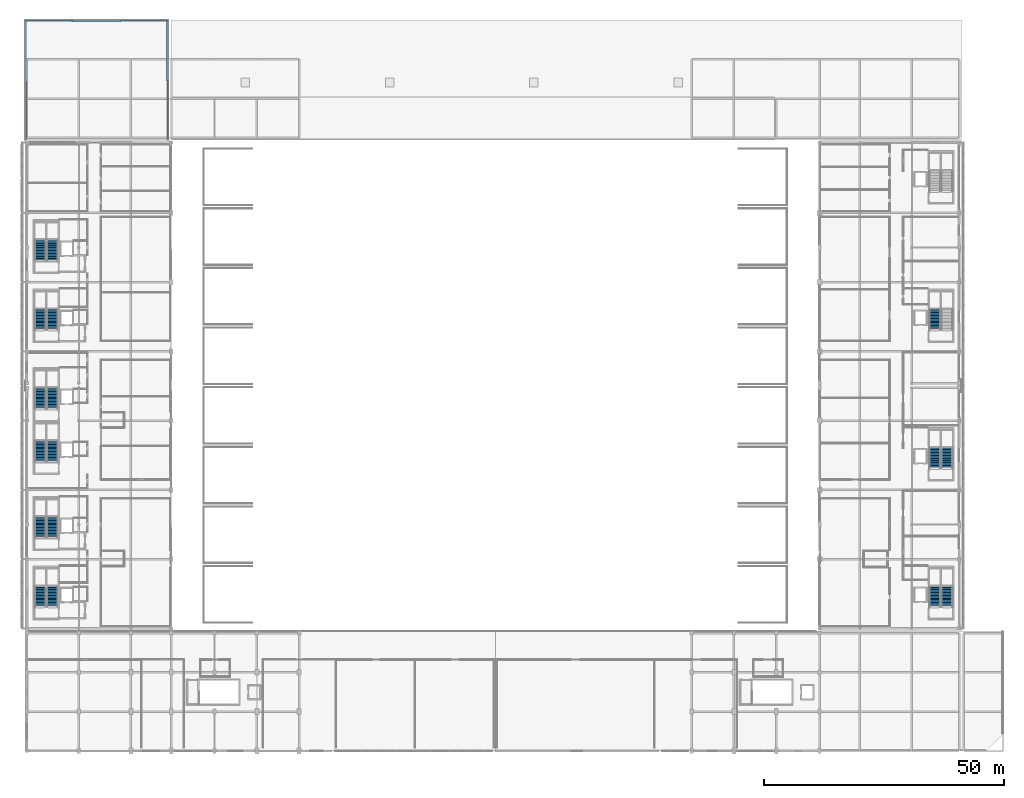
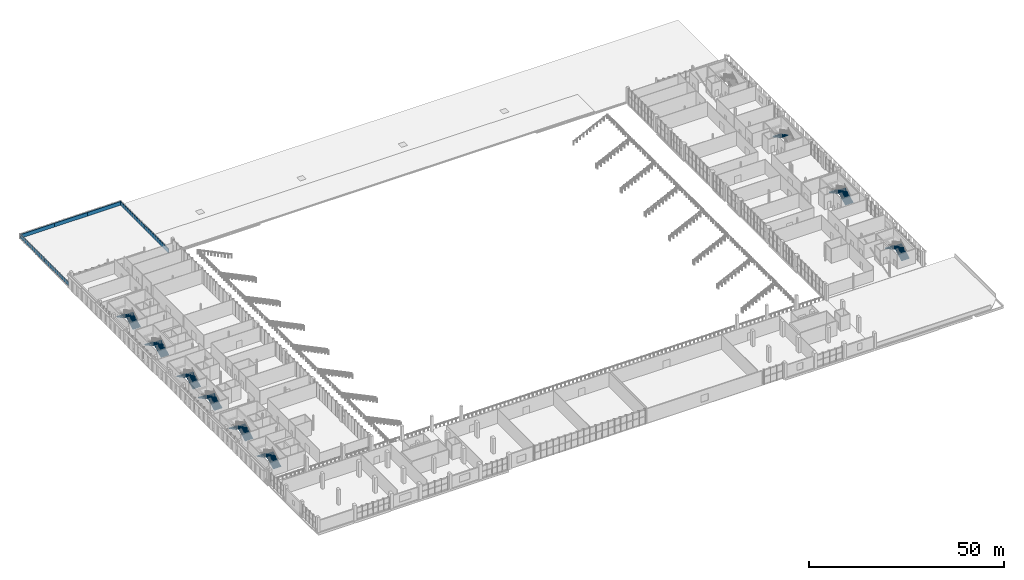
# One storey, part 73 of 104: 17 stair flights, 7 walls, 9 elements without a shape of their own.
"""IFC4 building model written with IfcOpenShell, lengths in metres."""

from ifc_helpers import new_model, si_unit, direction, frame, frame_2d, origin, place, context, subcontext, project, spatial, polyline, rectangle, outline, extrude, material, layer, layer_set, type_object, element, aggregate, save


model = new_model("IFC4")

# Units and contexts
model_context = context("Model", 3, precision=1e-05, world=origin(), true_north=direction((0.0, 1.0)))
body_context = subcontext(model_context, "Body", "Model", "MODEL_VIEW")
ifc_project = project(units=[si_unit("LENGTHUNIT", "METRE"), si_unit("AREAUNIT", "SQUARE_METRE"), si_unit("VOLUMEUNIT", "CUBIC_METRE"), si_unit("PLANEANGLEUNIT", "RADIAN"), si_unit("MASSUNIT", "GRAM", prefix="KILO")], contexts=[model_context])

# Site, building, storey
site_placement = place(None, origin())
site = spatial("IfcSite", under=ifc_project, at=site_placement, CompositionType="ELEMENT")
building_placement = place(site_placement, origin())
building = spatial("IfcBuilding", under=site, at=building_placement, Name="Koshinbarg Plaza Stadium", CompositionType="ELEMENT")
storey_placement = place(building_placement, frame((0.0, 0.0, 19.800048828125)))
storey = spatial("IfcBuildingStorey", under=building, at=storey_placement, Name="L04", CompositionType="ELEMENT", Elevation=19.800048828125)

# Walls
ifc_material_1 = material(Name="Precast concrete C40/50", Category="concrete")
ifc_layer_1 = layer(ifc_material_1, 0.199951171875)
ifc_layer_set_1 = layer_set([ifc_layer_1], Name="Precast concrete C40/50")
wall_type_1 = type_object("IfcWallType", Name="WL-PAR-200", PredefinedType="PARAPET", material=ifc_layer_set_1)
wall_1_placement = place(storey_placement, frame((53.85009765625, 139.5224609375, 0.0), z_axis=(0.0, 0.0, 1.0), x_axis=(0.0, 1.0, 0.0)))
element("IfcWall", 1, at=wall_1_placement, inside=storey, type_object=wall_type_1, Name="L04 roof garden parapet 020", PredefinedType="PARAPET", context=body_context, shape_type="SweptSolid", body=[
    extrude(rectangle(XDim=12.32763671875, YDim=0.199951171875, at=frame_2d((6.163818359375, 0.0))), origin(), (0.0, 0.0, 1.0), 1.14990234375),
])
wall_2_placement = place(storey_placement, frame((43.998291015625, 151.85009765625, 0.0), z_axis=(0.0, 0.0, 1.0), x_axis=(-1.0, 0.0, 0.0)))
element("IfcWall", 2, at=wall_2_placement, inside=storey, type_object=wall_type_1, Name="L04 roof garden parapet 022", PredefinedType="PARAPET", context=body_context, shape_type="SweptSolid", body=[
    extrude(rectangle(XDim=9.8515625, YDim=0.199951171875, at=frame_2d((4.92578125, 0.0))), origin(), (0.0, 0.0, 1.0), 1.14990234375),
])
wall_3_placement = place(storey_placement, frame((24.294921875, 151.85009765625, 0.0), z_axis=(0.0, 0.0, 1.0), x_axis=(0.0, -1.0, 0.0)))
element("IfcWall", 3, at=wall_3_placement, inside=storey, type_object=wall_type_1, Name="L04 roof garden parapet 024", PredefinedType="PARAPET", context=body_context, shape_type="SweptSolid", body=[
    extrude(rectangle(XDim=12.32763671875, YDim=0.199951171875, at=frame_2d((6.163818359375, 0.0))), origin(), (0.0, 0.0, 1.0), 1.14990234375),
])
ifc_layer_2 = layer(ifc_material_1, 0.219970703125)
ifc_layer_set_2 = layer_set([ifc_layer_2], Name="Precast concrete C40/50")
wall_type_2 = type_object("IfcWallType", Name="WL-PAR-220", PredefinedType="PARAPET", material=ifc_layer_set_2)
wall_4_placement = place(storey_placement, frame((53.85009765625, 127.195068359375, 0.0), z_axis=(0.0, 0.0, 1.0), x_axis=(0.0, 1.0, 0.0)))
element("IfcWall", 4, at=wall_4_placement, inside=storey, type_object=wall_type_2, Name="L04 roof garden parapet 019", PredefinedType="PARAPET", context=body_context, shape_type="SweptSolid", body=[
    extrude(rectangle(XDim=12.327392578125, YDim=0.219970703125, at=frame_2d((6.16357421875, 0.0))), origin(), (0.0, 0.0, 1.0), 1.14990234375),
])
for number, where, z_axis, x_axis, name in (
    (5, (53.85009765625, 151.85009765625, 0.0), (0.0, 0.0, 1.0), (-1.0, 0.0, 0.0), "L04 roof garden parapet 021"),
    (6, (34.146728515625, 151.85009765625, 0.0), (0.0, 0.0, 1.0), (-1.0, 0.0, 0.0), "L04 roof garden parapet 023"),
):
    element("IfcWall", number, at=place(storey_placement, frame(where, z_axis=z_axis, x_axis=x_axis)), inside=storey, type_object=wall_type_2, Name=name, PredefinedType="PARAPET", context=body_context, shape_type="SweptSolid", body=[
        extrude(rectangle(XDim=9.851806640625, YDim=0.219970703125, at=frame_2d((4.92578125, 0.0))), origin(), (0.0, 0.0, 1.0), 1.14990234375),
    ])
wall_5_placement = place(storey_placement, frame((24.294921875, 139.5224609375, 0.0), z_axis=(0.0, 0.0, 1.0), x_axis=(0.0, -1.0, 0.0)))
element("IfcWall", 7, at=wall_5_placement, inside=storey, type_object=wall_type_2, Name="L04 roof garden parapet 025", PredefinedType="PARAPET", context=body_context, shape_type="SweptSolid", body=[
    extrude(rectangle(XDim=12.327392578125, YDim=0.219970703125, at=frame_2d((6.16357421875, 0.0))), origin(), (0.0, 0.0, 1.0), 1.14990234375),
])

# Stair, stair flights
ifc_material_2 = material(Name="Concrete C35/45", Category="concrete")
stair_type = type_object("IfcStairType", Name="ST-CORE-48", PredefinedType="HALF_TURN_STAIR", material=ifc_material_2)
stair_1_placement = place(storey_placement, origin())
stair_1 = element("IfcStair", 8, at=stair_1_placement, inside=storey, type_object=stair_type, Name="L04 Protected Exit Stair C01", PredefinedType="HALF_TURN_STAIR")
stair_flight_type = type_object("IfcStairFlightType", Name="SFL-CORE-48", PredefinedType="STRAIGHT", material=ifc_material_2)
stair_flight_1_placement = place(storey_placement, frame((29.889892578125, 29.9599609375, 0.0), z_axis=(0.0, 0.0, 1.0), x_axis=(0.0, 1.0, 0.0)))
stair_flight_1 = element("IfcStairFlight", 9, at=stair_flight_1_placement, type_object=stair_flight_type, Name="L04 Protected Exit Stair C01 flight 009", NumberOfRisers=15, NumberOfTreads=14, PredefinedType="STRAIGHT", RiserHeight=0.16, TreadLength=0.3, context=body_context, shape_type="SweptSolid", body=[
    extrude(outline(polyline([(0.0, 0.0), (0.0, 0.159912109375), (0.300048828125, 0.159912109375), (0.300048828125, 0.320068359375), (0.60009765625, 0.320068359375), (0.60009765625, 0.47998046875), (0.89990234375, 0.47998046875), (0.89990234375, 0.639892578125), (1.199951171875, 0.639892578125), (1.199951171875, 0.800048828125), (1.5, 0.800048828125), (1.5, 0.9599609375), (1.800048828125, 0.9599609375), (1.800048828125, 1.1201171875), (2.10009765625, 1.1201171875), (2.10009765625, 1.280029296875), (2.39990234375, 1.280029296875), (2.39990234375, 1.43994140625), (2.699951171875, 1.43994140625), (2.699951171875, 1.60009765625), (3.0, 1.60009765625), (3.0, 1.760009765625), (3.300048828125, 1.760009765625), (3.300048828125, 1.919921875), (3.60009765625, 1.919921875), (3.60009765625, 2.080078125), (3.89990234375, 2.080078125), (3.89990234375, 2.239990234375), (4.199951171875, 2.239990234375), (4.199951171875, 2.39990234375), (4.199951171875, 2.070068359375), (0.318603515625, 0.0), (0.0, 0.0)])), frame((0.0, 1.18017578125, 0.0), z_axis=(0.0, -1.0, 0.0), x_axis=(1.0, 0.0, 0.0)), (0.0, 0.0, 1.0), 2.360107421875),
])
stair_flight_2_placement = place(storey_placement, frame((27.3798828125, 34.159912109375, 2.39990234375), z_axis=(0.0, 0.0, 1.0), x_axis=(0.0, -1.0, 0.0)))
stair_flight_2 = element("IfcStairFlight", 10, at=stair_flight_2_placement, type_object=stair_flight_type, Name="L04 Protected Exit Stair C01 flight 010", NumberOfRisers=15, NumberOfTreads=14, PredefinedType="STRAIGHT", RiserHeight=0.16, TreadLength=0.3, context=body_context, shape_type="SweptSolid", body=[
    extrude(outline(polyline([(0.0, 0.0), (0.0, 0.159912109375), (0.300048828125, 0.159912109375), (0.300048828125, 0.320068359375), (0.60009765625, 0.320068359375), (0.60009765625, 0.47998046875), (0.89990234375, 0.47998046875), (0.89990234375, 0.639892578125), (1.199951171875, 0.639892578125), (1.199951171875, 0.800048828125), (1.5, 0.800048828125), (1.5, 0.9599609375), (1.800048828125, 0.9599609375), (1.800048828125, 1.1201171875), (2.10009765625, 1.1201171875), (2.10009765625, 1.280029296875), (2.39990234375, 1.280029296875), (2.39990234375, 1.43994140625), (2.699951171875, 1.43994140625), (2.699951171875, 1.60009765625), (3.0, 1.60009765625), (3.0, 1.760009765625), (3.300048828125, 1.760009765625), (3.300048828125, 1.919921875), (3.60009765625, 1.919921875), (3.60009765625, 2.080078125), (3.89990234375, 2.080078125), (3.89990234375, 2.239990234375), (4.199951171875, 2.239990234375), (4.199951171875, 2.39990234375), (4.199951171875, 2.070068359375), (0.318603515625, 0.0), (0.0, 0.0)])), frame((0.0, 1.18017578125, 0.0), z_axis=(0.0, -1.0, 0.0), x_axis=(1.0, 0.0, 0.0)), (0.0, 0.0, 1.0), 2.360107421875),
])
aggregate(stair_1, [stair_flight_1, stair_flight_2])

stair_2_placement = place(storey_placement, origin())
stair_2 = element("IfcStair", 11, at=stair_2_placement, inside=storey, type_object=stair_type, Name="L04 Protected Exit Stair C02", PredefinedType="HALF_TURN_STAIR")
stair_flight_3_placement = place(storey_placement, frame((29.889892578125, 44.360107421875, 0.0), z_axis=(0.0, 0.0, 1.0), x_axis=(0.0, 1.0, 0.0)))
stair_flight_3 = element("IfcStairFlight", 12, at=stair_flight_3_placement, type_object=stair_flight_type, Name="L04 Protected Exit Stair C02 flight 021", NumberOfRisers=15, NumberOfTreads=14, PredefinedType="STRAIGHT", RiserHeight=0.16, TreadLength=0.3, context=body_context, shape_type="SweptSolid", body=[
    extrude(outline(polyline([(0.0, 0.0), (0.0, 0.159912109375), (0.300048828125, 0.159912109375), (0.300048828125, 0.320068359375), (0.60009765625, 0.320068359375), (0.60009765625, 0.47998046875), (0.89990234375, 0.47998046875), (0.89990234375, 0.639892578125), (1.199951171875, 0.639892578125), (1.199951171875, 0.800048828125), (1.5, 0.800048828125), (1.5, 0.9599609375), (1.800048828125, 0.9599609375), (1.800048828125, 1.1201171875), (2.10009765625, 1.1201171875), (2.10009765625, 1.280029296875), (2.39990234375, 1.280029296875), (2.39990234375, 1.43994140625), (2.699951171875, 1.43994140625), (2.699951171875, 1.60009765625), (3.0, 1.60009765625), (3.0, 1.760009765625), (3.300048828125, 1.760009765625), (3.300048828125, 1.919921875), (3.60009765625, 1.919921875), (3.60009765625, 2.080078125), (3.89990234375, 2.080078125), (3.89990234375, 2.239990234375), (4.199951171875, 2.239990234375), (4.199951171875, 2.39990234375), (4.199951171875, 2.070068359375), (0.318603515625, 0.0), (0.0, 0.0)])), frame((0.0, 1.18017578125, 0.0), z_axis=(0.0, -1.0, 0.0), x_axis=(1.0, 0.0, 0.0)), (0.0, 0.0, 1.0), 2.360107421875),
])
stair_flight_4_placement = place(storey_placement, frame((27.3798828125, 48.56005859375, 2.39990234375), z_axis=(0.0, 0.0, 1.0), x_axis=(0.0, -1.0, 0.0)))
stair_flight_4 = element("IfcStairFlight", 13, at=stair_flight_4_placement, type_object=stair_flight_type, Name="L04 Protected Exit Stair C02 flight 022", NumberOfRisers=15, NumberOfTreads=14, PredefinedType="STRAIGHT", RiserHeight=0.16, TreadLength=0.3, context=body_context, shape_type="SweptSolid", body=[
    extrude(outline(polyline([(0.0, 0.0), (0.0, 0.159912109375), (0.300048828125, 0.159912109375), (0.300048828125, 0.320068359375), (0.60009765625, 0.320068359375), (0.60009765625, 0.47998046875), (0.89990234375, 0.47998046875), (0.89990234375, 0.639892578125), (1.199951171875, 0.639892578125), (1.199951171875, 0.800048828125), (1.5, 0.800048828125), (1.5, 0.9599609375), (1.800048828125, 0.9599609375), (1.800048828125, 1.1201171875), (2.10009765625, 1.1201171875), (2.10009765625, 1.280029296875), (2.39990234375, 1.280029296875), (2.39990234375, 1.43994140625), (2.699951171875, 1.43994140625), (2.699951171875, 1.60009765625), (3.0, 1.60009765625), (3.0, 1.760009765625), (3.300048828125, 1.760009765625), (3.300048828125, 1.919921875), (3.60009765625, 1.919921875), (3.60009765625, 2.080078125), (3.89990234375, 2.080078125), (3.89990234375, 2.239990234375), (4.199951171875, 2.239990234375), (4.199951171875, 2.39990234375), (4.199951171875, 2.070068359375), (0.318603515625, 0.0), (0.0, 0.0)])), frame((0.0, 1.18017578125, 0.0), z_axis=(0.0, -1.0, 0.0), x_axis=(1.0, 0.0, 0.0)), (0.0, 0.0, 1.0), 2.360107421875),
])
aggregate(stair_2, [stair_flight_3, stair_flight_4])

stair_3_placement = place(storey_placement, origin())
stair_3 = element("IfcStair", 14, at=stair_3_placement, inside=storey, type_object=stair_type, Name="L04 Protected Exit Stair C03", PredefinedType="HALF_TURN_STAIR")
stair_flight_5_placement = place(storey_placement, frame((29.889892578125, 60.159912109375, 0.0), z_axis=(0.0, 0.0, 1.0), x_axis=(0.0, 1.0, 0.0)))
stair_flight_5 = element("IfcStairFlight", 15, at=stair_flight_5_placement, type_object=stair_flight_type, Name="L04 Protected Exit Stair C03 flight 033", NumberOfRisers=15, NumberOfTreads=14, PredefinedType="STRAIGHT", RiserHeight=0.16, TreadLength=0.3, context=body_context, shape_type="SweptSolid", body=[
    extrude(outline(polyline([(0.0, 0.0), (0.0, 0.159912109375), (0.300048828125, 0.159912109375), (0.300048828125, 0.320068359375), (0.60009765625, 0.320068359375), (0.60009765625, 0.47998046875), (0.89990234375, 0.47998046875), (0.89990234375, 0.639892578125), (1.199951171875, 0.639892578125), (1.199951171875, 0.800048828125), (1.5, 0.800048828125), (1.5, 0.9599609375), (1.800048828125, 0.9599609375), (1.800048828125, 1.1201171875), (2.10009765625, 1.1201171875), (2.10009765625, 1.280029296875), (2.39990234375, 1.280029296875), (2.39990234375, 1.43994140625), (2.699951171875, 1.43994140625), (2.699951171875, 1.60009765625), (3.0, 1.60009765625), (3.0, 1.760009765625), (3.300048828125, 1.760009765625), (3.300048828125, 1.919921875), (3.60009765625, 1.919921875), (3.60009765625, 2.080078125), (3.89990234375, 2.080078125), (3.89990234375, 2.239990234375), (4.199951171875, 2.239990234375), (4.199951171875, 2.39990234375), (4.199951171875, 2.070068359375), (0.318603515625, 0.0), (0.0, 0.0)])), frame((0.0, 1.18017578125, 0.0), z_axis=(0.0, -1.0, 0.0), x_axis=(1.0, 0.0, 0.0)), (0.0, 0.0, 1.0), 2.360107421875),
])
stair_flight_6_placement = place(storey_placement, frame((27.3798828125, 64.360107421875, 2.39990234375), z_axis=(0.0, 0.0, 1.0), x_axis=(0.0, -1.0, 0.0)))
stair_flight_6 = element("IfcStairFlight", 16, at=stair_flight_6_placement, type_object=stair_flight_type, Name="L04 Protected Exit Stair C03 flight 034", NumberOfRisers=15, NumberOfTreads=14, PredefinedType="STRAIGHT", RiserHeight=0.16, TreadLength=0.3, context=body_context, shape_type="SweptSolid", body=[
    extrude(outline(polyline([(0.0, 0.0), (0.0, 0.159912109375), (0.300048828125, 0.159912109375), (0.300048828125, 0.320068359375), (0.60009765625, 0.320068359375), (0.60009765625, 0.47998046875), (0.89990234375, 0.47998046875), (0.89990234375, 0.639892578125), (1.199951171875, 0.639892578125), (1.199951171875, 0.800048828125), (1.5, 0.800048828125), (1.5, 0.9599609375), (1.800048828125, 0.9599609375), (1.800048828125, 1.1201171875), (2.10009765625, 1.1201171875), (2.10009765625, 1.280029296875), (2.39990234375, 1.280029296875), (2.39990234375, 1.43994140625), (2.699951171875, 1.43994140625), (2.699951171875, 1.60009765625), (3.0, 1.60009765625), (3.0, 1.760009765625), (3.300048828125, 1.760009765625), (3.300048828125, 1.919921875), (3.60009765625, 1.919921875), (3.60009765625, 2.080078125), (3.89990234375, 2.080078125), (3.89990234375, 2.239990234375), (4.199951171875, 2.239990234375), (4.199951171875, 2.39990234375), (4.199951171875, 2.070068359375), (0.318603515625, 0.0), (0.0, 0.0)])), frame((0.0, 1.18017578125, 0.0), z_axis=(0.0, -1.0, 0.0), x_axis=(1.0, 0.0, 0.0)), (0.0, 0.0, 1.0), 2.360107421875),
])
aggregate(stair_3, [stair_flight_5, stair_flight_6])

stair_4_placement = place(storey_placement, origin())
stair_4 = element("IfcStair", 17, at=stair_4_placement, inside=storey, type_object=stair_type, Name="L04 Protected Exit Stair C04", PredefinedType="HALF_TURN_STAIR")
stair_flight_7_placement = place(storey_placement, frame((29.889892578125, 71.159912109375, 0.0), z_axis=(0.0, 0.0, 1.0), x_axis=(0.0, 1.0, 0.0)))
stair_flight_7 = element("IfcStairFlight", 18, at=stair_flight_7_placement, type_object=stair_flight_type, Name="L04 Protected Exit Stair C04 flight 045", NumberOfRisers=15, NumberOfTreads=14, PredefinedType="STRAIGHT", RiserHeight=0.16, TreadLength=0.3, context=body_context, shape_type="SweptSolid", body=[
    extrude(outline(polyline([(0.0, 0.0), (0.0, 0.159912109375), (0.300048828125, 0.159912109375), (0.300048828125, 0.320068359375), (0.60009765625, 0.320068359375), (0.60009765625, 0.47998046875), (0.89990234375, 0.47998046875), (0.89990234375, 0.639892578125), (1.199951171875, 0.639892578125), (1.199951171875, 0.800048828125), (1.5, 0.800048828125), (1.5, 0.9599609375), (1.800048828125, 0.9599609375), (1.800048828125, 1.1201171875), (2.10009765625, 1.1201171875), (2.10009765625, 1.280029296875), (2.39990234375, 1.280029296875), (2.39990234375, 1.43994140625), (2.699951171875, 1.43994140625), (2.699951171875, 1.60009765625), (3.0, 1.60009765625), (3.0, 1.760009765625), (3.300048828125, 1.760009765625), (3.300048828125, 1.919921875), (3.60009765625, 1.919921875), (3.60009765625, 2.080078125), (3.89990234375, 2.080078125), (3.89990234375, 2.239990234375), (4.199951171875, 2.239990234375), (4.199951171875, 2.39990234375), (4.199951171875, 2.070068359375), (0.318603515625, 0.0), (0.0, 0.0)])), frame((0.0, 1.18017578125, 0.0), z_axis=(0.0, -1.0, 0.0), x_axis=(1.0, 0.0, 0.0)), (0.0, 0.0, 1.0), 2.360107421875),
])
stair_flight_8_placement = place(storey_placement, frame((27.3798828125, 75.360107421875, 2.39990234375), z_axis=(0.0, 0.0, 1.0), x_axis=(0.0, -1.0, 0.0)))
stair_flight_8 = element("IfcStairFlight", 19, at=stair_flight_8_placement, type_object=stair_flight_type, Name="L04 Protected Exit Stair C04 flight 046", NumberOfRisers=15, NumberOfTreads=14, PredefinedType="STRAIGHT", RiserHeight=0.16, TreadLength=0.3, context=body_context, shape_type="SweptSolid", body=[
    extrude(outline(polyline([(0.0, 0.0), (0.0, 0.159912109375), (0.300048828125, 0.159912109375), (0.300048828125, 0.320068359375), (0.60009765625, 0.320068359375), (0.60009765625, 0.47998046875), (0.89990234375, 0.47998046875), (0.89990234375, 0.639892578125), (1.199951171875, 0.639892578125), (1.199951171875, 0.800048828125), (1.5, 0.800048828125), (1.5, 0.9599609375), (1.800048828125, 0.9599609375), (1.800048828125, 1.1201171875), (2.10009765625, 1.1201171875), (2.10009765625, 1.280029296875), (2.39990234375, 1.280029296875), (2.39990234375, 1.43994140625), (2.699951171875, 1.43994140625), (2.699951171875, 1.60009765625), (3.0, 1.60009765625), (3.0, 1.760009765625), (3.300048828125, 1.760009765625), (3.300048828125, 1.919921875), (3.60009765625, 1.919921875), (3.60009765625, 2.080078125), (3.89990234375, 2.080078125), (3.89990234375, 2.239990234375), (4.199951171875, 2.239990234375), (4.199951171875, 2.39990234375), (4.199951171875, 2.070068359375), (0.318603515625, 0.0), (0.0, 0.0)])), frame((0.0, 1.18017578125, 0.0), z_axis=(0.0, -1.0, 0.0), x_axis=(1.0, 0.0, 0.0)), (0.0, 0.0, 1.0), 2.360107421875),
])
aggregate(stair_4, [stair_flight_7, stair_flight_8])

stair_5_placement = place(storey_placement, origin())
stair_5 = element("IfcStair", 20, at=stair_5_placement, inside=storey, type_object=stair_type, Name="L04 Protected Exit Stair C05", PredefinedType="HALF_TURN_STAIR")
stair_flight_9_placement = place(storey_placement, frame((29.889892578125, 87.56005859375, 0.0), z_axis=(0.0, 0.0, 1.0), x_axis=(0.0, 1.0, 0.0)))
stair_flight_9 = element("IfcStairFlight", 21, at=stair_flight_9_placement, type_object=stair_flight_type, Name="L04 Protected Exit Stair C05 flight 057", NumberOfRisers=15, NumberOfTreads=14, PredefinedType="STRAIGHT", RiserHeight=0.16, TreadLength=0.3, context=body_context, shape_type="SweptSolid", body=[
    extrude(outline(polyline([(0.0, 0.0), (0.0, 0.159912109375), (0.300048828125, 0.159912109375), (0.300048828125, 0.320068359375), (0.60009765625, 0.320068359375), (0.60009765625, 0.47998046875), (0.89990234375, 0.47998046875), (0.89990234375, 0.639892578125), (1.199951171875, 0.639892578125), (1.199951171875, 0.800048828125), (1.5, 0.800048828125), (1.5, 0.9599609375), (1.800048828125, 0.9599609375), (1.800048828125, 1.1201171875), (2.10009765625, 1.1201171875), (2.10009765625, 1.280029296875), (2.39990234375, 1.280029296875), (2.39990234375, 1.43994140625), (2.699951171875, 1.43994140625), (2.699951171875, 1.60009765625), (3.0, 1.60009765625), (3.0, 1.760009765625), (3.300048828125, 1.760009765625), (3.300048828125, 1.919921875), (3.60009765625, 1.919921875), (3.60009765625, 2.080078125), (3.89990234375, 2.080078125), (3.89990234375, 2.239990234375), (4.199951171875, 2.239990234375), (4.199951171875, 2.39990234375), (4.199951171875, 2.070068359375), (0.318603515625, 0.0), (0.0, 0.0)])), frame((0.0, 1.18017578125, 0.0), z_axis=(0.0, -1.0, 0.0), x_axis=(1.0, 0.0, 0.0)), (0.0, 0.0, 1.0), 2.360107421875),
])
stair_flight_10_placement = place(storey_placement, frame((27.3798828125, 91.760009765625, 2.39990234375), z_axis=(0.0, 0.0, 1.0), x_axis=(0.0, -1.0, 0.0)))
stair_flight_10 = element("IfcStairFlight", 22, at=stair_flight_10_placement, type_object=stair_flight_type, Name="L04 Protected Exit Stair C05 flight 058", NumberOfRisers=15, NumberOfTreads=14, PredefinedType="STRAIGHT", RiserHeight=0.16, TreadLength=0.3, context=body_context, shape_type="SweptSolid", body=[
    extrude(outline(polyline([(0.0, 0.0), (0.0, 0.159912109375), (0.300048828125, 0.159912109375), (0.300048828125, 0.320068359375), (0.60009765625, 0.320068359375), (0.60009765625, 0.47998046875), (0.89990234375, 0.47998046875), (0.89990234375, 0.639892578125), (1.199951171875, 0.639892578125), (1.199951171875, 0.800048828125), (1.5, 0.800048828125), (1.5, 0.9599609375), (1.800048828125, 0.9599609375), (1.800048828125, 1.1201171875), (2.10009765625, 1.1201171875), (2.10009765625, 1.280029296875), (2.39990234375, 1.280029296875), (2.39990234375, 1.43994140625), (2.699951171875, 1.43994140625), (2.699951171875, 1.60009765625), (3.0, 1.60009765625), (3.0, 1.760009765625), (3.300048828125, 1.760009765625), (3.300048828125, 1.919921875), (3.60009765625, 1.919921875), (3.60009765625, 2.080078125), (3.89990234375, 2.080078125), (3.89990234375, 2.239990234375), (4.199951171875, 2.239990234375), (4.199951171875, 2.39990234375), (4.199951171875, 2.070068359375), (0.318603515625, 0.0), (0.0, 0.0)])), frame((0.0, 1.18017578125, 0.0), z_axis=(0.0, -1.0, 0.0), x_axis=(1.0, 0.0, 0.0)), (0.0, 0.0, 1.0), 2.360107421875),
])
aggregate(stair_5, [stair_flight_9, stair_flight_10])

stair_6_placement = place(storey_placement, origin())
stair_6 = element("IfcStair", 23, at=stair_6_placement, inside=storey, type_object=stair_type, Name="L04 Protected Exit Stair C06", PredefinedType="HALF_TURN_STAIR")
stair_flight_11_placement = place(storey_placement, frame((29.889892578125, 101.9599609375, 0.0), z_axis=(0.0, 0.0, 1.0), x_axis=(0.0, 1.0, 0.0)))
stair_flight_11 = element("IfcStairFlight", 24, at=stair_flight_11_placement, type_object=stair_flight_type, Name="L04 Protected Exit Stair C06 flight 069", NumberOfRisers=15, NumberOfTreads=14, PredefinedType="STRAIGHT", RiserHeight=0.16, TreadLength=0.3, context=body_context, shape_type="SweptSolid", body=[
    extrude(outline(polyline([(0.0, 0.0), (0.0, 0.159912109375), (0.300048828125, 0.159912109375), (0.300048828125, 0.320068359375), (0.60009765625, 0.320068359375), (0.60009765625, 0.47998046875), (0.89990234375, 0.47998046875), (0.89990234375, 0.639892578125), (1.199951171875, 0.639892578125), (1.199951171875, 0.800048828125), (1.5, 0.800048828125), (1.5, 0.9599609375), (1.800048828125, 0.9599609375), (1.800048828125, 1.1201171875), (2.10009765625, 1.1201171875), (2.10009765625, 1.280029296875), (2.39990234375, 1.280029296875), (2.39990234375, 1.43994140625), (2.699951171875, 1.43994140625), (2.699951171875, 1.60009765625), (3.0, 1.60009765625), (3.0, 1.760009765625), (3.300048828125, 1.760009765625), (3.300048828125, 1.919921875), (3.60009765625, 1.919921875), (3.60009765625, 2.080078125), (3.89990234375, 2.080078125), (3.89990234375, 2.239990234375), (4.199951171875, 2.239990234375), (4.199951171875, 2.39990234375), (4.199951171875, 2.070068359375), (0.318603515625, 0.0), (0.0, 0.0)])), frame((0.0, 1.18017578125, 0.0), z_axis=(0.0, -1.0, 0.0), x_axis=(1.0, 0.0, 0.0)), (0.0, 0.0, 1.0), 2.360107421875),
])
stair_flight_12_placement = place(storey_placement, frame((27.3798828125, 106.159912109375, 2.39990234375), z_axis=(0.0, 0.0, 1.0), x_axis=(0.0, -1.0, 0.0)))
stair_flight_12 = element("IfcStairFlight", 25, at=stair_flight_12_placement, type_object=stair_flight_type, Name="L04 Protected Exit Stair C06 flight 070", NumberOfRisers=15, NumberOfTreads=14, PredefinedType="STRAIGHT", RiserHeight=0.16, TreadLength=0.3, context=body_context, shape_type="SweptSolid", body=[
    extrude(outline(polyline([(0.0, 0.0), (0.0, 0.159912109375), (0.300048828125, 0.159912109375), (0.300048828125, 0.320068359375), (0.60009765625, 0.320068359375), (0.60009765625, 0.47998046875), (0.89990234375, 0.47998046875), (0.89990234375, 0.639892578125), (1.199951171875, 0.639892578125), (1.199951171875, 0.800048828125), (1.5, 0.800048828125), (1.5, 0.9599609375), (1.800048828125, 0.9599609375), (1.800048828125, 1.1201171875), (2.10009765625, 1.1201171875), (2.10009765625, 1.280029296875), (2.39990234375, 1.280029296875), (2.39990234375, 1.43994140625), (2.699951171875, 1.43994140625), (2.699951171875, 1.60009765625), (3.0, 1.60009765625), (3.0, 1.760009765625), (3.300048828125, 1.760009765625), (3.300048828125, 1.919921875), (3.60009765625, 1.919921875), (3.60009765625, 2.080078125), (3.89990234375, 2.080078125), (3.89990234375, 2.239990234375), (4.199951171875, 2.239990234375), (4.199951171875, 2.39990234375), (4.199951171875, 2.070068359375), (0.318603515625, 0.0), (0.0, 0.0)])), frame((0.0, 1.18017578125, 0.0), z_axis=(0.0, -1.0, 0.0), x_axis=(1.0, 0.0, 0.0)), (0.0, 0.0, 1.0), 2.360107421875),
])
aggregate(stair_6, [stair_flight_11, stair_flight_12])

stair_7_placement = place(storey_placement, origin())
stair_7 = element("IfcStair", 26, at=stair_7_placement, inside=storey, type_object=stair_type, Name="L04 Protected Exit Stair C07", PredefinedType="HALF_TURN_STAIR")
stair_flight_13_placement = place(storey_placement, frame((215.889892578125, 29.9599609375, 0.0), z_axis=(0.0, 0.0, 1.0), x_axis=(0.0, 1.0, 0.0)))
stair_flight_13 = element("IfcStairFlight", 27, at=stair_flight_13_placement, type_object=stair_flight_type, Name="L04 Protected Exit Stair C07 flight 081", NumberOfRisers=15, NumberOfTreads=14, PredefinedType="STRAIGHT", RiserHeight=0.16, TreadLength=0.3, context=body_context, shape_type="SweptSolid", body=[
    extrude(outline(polyline([(0.0, 0.0), (0.0, 0.159912109375), (0.300048828125, 0.159912109375), (0.300048828125, 0.320068359375), (0.60009765625, 0.320068359375), (0.60009765625, 0.47998046875), (0.89990234375, 0.47998046875), (0.89990234375, 0.639892578125), (1.199951171875, 0.639892578125), (1.199951171875, 0.800048828125), (1.5, 0.800048828125), (1.5, 0.9599609375), (1.800048828125, 0.9599609375), (1.800048828125, 1.1201171875), (2.10009765625, 1.1201171875), (2.10009765625, 1.280029296875), (2.39990234375, 1.280029296875), (2.39990234375, 1.43994140625), (2.699951171875, 1.43994140625), (2.699951171875, 1.60009765625), (3.0, 1.60009765625), (3.0, 1.760009765625), (3.300048828125, 1.760009765625), (3.300048828125, 1.919921875), (3.60009765625, 1.919921875), (3.60009765625, 2.080078125), (3.89990234375, 2.080078125), (3.89990234375, 2.239990234375), (4.199951171875, 2.239990234375), (4.199951171875, 2.39990234375), (4.199951171875, 2.070068359375), (0.318603515625, 0.0), (0.0, 0.0)])), frame((0.0, 1.18017578125, 0.0), z_axis=(0.0, -1.0, 0.0), x_axis=(1.0, 0.0, 0.0)), (0.0, 0.0, 1.0), 2.360107421875),
])
stair_flight_14_placement = place(storey_placement, frame((213.3798828125, 34.159912109375, 2.39990234375), z_axis=(0.0, 0.0, 1.0), x_axis=(0.0, -1.0, 0.0)))
stair_flight_14 = element("IfcStairFlight", 28, at=stair_flight_14_placement, type_object=stair_flight_type, Name="L04 Protected Exit Stair C07 flight 082", NumberOfRisers=15, NumberOfTreads=14, PredefinedType="STRAIGHT", RiserHeight=0.16, TreadLength=0.3, context=body_context, shape_type="SweptSolid", body=[
    extrude(outline(polyline([(0.0, 0.0), (0.0, 0.159912109375), (0.300048828125, 0.159912109375), (0.300048828125, 0.320068359375), (0.60009765625, 0.320068359375), (0.60009765625, 0.47998046875), (0.89990234375, 0.47998046875), (0.89990234375, 0.639892578125), (1.199951171875, 0.639892578125), (1.199951171875, 0.800048828125), (1.5, 0.800048828125), (1.5, 0.9599609375), (1.800048828125, 0.9599609375), (1.800048828125, 1.1201171875), (2.10009765625, 1.1201171875), (2.10009765625, 1.280029296875), (2.39990234375, 1.280029296875), (2.39990234375, 1.43994140625), (2.699951171875, 1.43994140625), (2.699951171875, 1.60009765625), (3.0, 1.60009765625), (3.0, 1.760009765625), (3.300048828125, 1.760009765625), (3.300048828125, 1.919921875), (3.60009765625, 1.919921875), (3.60009765625, 2.080078125), (3.89990234375, 2.080078125), (3.89990234375, 2.239990234375), (4.199951171875, 2.239990234375), (4.199951171875, 2.39990234375), (4.199951171875, 2.070068359375), (0.318603515625, 0.0), (0.0, 0.0)])), frame((0.0, 1.18017578125, 0.0), z_axis=(0.0, -1.0, 0.0), x_axis=(1.0, 0.0, 0.0)), (0.0, 0.0, 1.0), 2.360107421875),
])
aggregate(stair_7, [stair_flight_13, stair_flight_14])

stair_8_placement = place(storey_placement, origin())
stair_8 = element("IfcStair", 29, at=stair_8_placement, inside=storey, type_object=stair_type, Name="L04 Protected Exit Stair C08", PredefinedType="HALF_TURN_STAIR")
stair_flight_15_placement = place(storey_placement, frame((215.889892578125, 58.760009765625, 0.0), z_axis=(0.0, 0.0, 1.0), x_axis=(0.0, 1.0, 0.0)))
stair_flight_15 = element("IfcStairFlight", 30, at=stair_flight_15_placement, type_object=stair_flight_type, Name="L04 Protected Exit Stair C08 flight 091", NumberOfRisers=15, NumberOfTreads=14, PredefinedType="STRAIGHT", RiserHeight=0.16, TreadLength=0.3, context=body_context, shape_type="SweptSolid", body=[
    extrude(outline(polyline([(0.0, 0.0), (0.0, 0.159912109375), (0.300048828125, 0.159912109375), (0.300048828125, 0.320068359375), (0.60009765625, 0.320068359375), (0.60009765625, 0.47998046875), (0.89990234375, 0.47998046875), (0.89990234375, 0.639892578125), (1.199951171875, 0.639892578125), (1.199951171875, 0.800048828125), (1.5, 0.800048828125), (1.5, 0.9599609375), (1.800048828125, 0.9599609375), (1.800048828125, 1.1201171875), (2.10009765625, 1.1201171875), (2.10009765625, 1.280029296875), (2.39990234375, 1.280029296875), (2.39990234375, 1.43994140625), (2.699951171875, 1.43994140625), (2.699951171875, 1.60009765625), (3.0, 1.60009765625), (3.0, 1.760009765625), (3.300048828125, 1.760009765625), (3.300048828125, 1.919921875), (3.60009765625, 1.919921875), (3.60009765625, 2.080078125), (3.89990234375, 2.080078125), (3.89990234375, 2.239990234375), (4.199951171875, 2.239990234375), (4.199951171875, 2.39990234375), (4.199951171875, 2.070068359375), (0.318603515625, 0.0), (0.0, 0.0)])), frame((0.0, 1.18017578125, 0.0), z_axis=(0.0, -1.0, 0.0), x_axis=(1.0, 0.0, 0.0)), (0.0, 0.0, 1.0), 2.360107421875),
])
stair_flight_16_placement = place(storey_placement, frame((213.3798828125, 62.9599609375, 2.39990234375), z_axis=(0.0, 0.0, 1.0), x_axis=(0.0, -1.0, 0.0)))
stair_flight_16 = element("IfcStairFlight", 31, at=stair_flight_16_placement, type_object=stair_flight_type, Name="L04 Protected Exit Stair C08 flight 092", NumberOfRisers=15, NumberOfTreads=14, PredefinedType="STRAIGHT", RiserHeight=0.16, TreadLength=0.3, context=body_context, shape_type="SweptSolid", body=[
    extrude(outline(polyline([(0.0, 0.0), (0.0, 0.159912109375), (0.300048828125, 0.159912109375), (0.300048828125, 0.320068359375), (0.60009765625, 0.320068359375), (0.60009765625, 0.47998046875), (0.89990234375, 0.47998046875), (0.89990234375, 0.639892578125), (1.199951171875, 0.639892578125), (1.199951171875, 0.800048828125), (1.5, 0.800048828125), (1.5, 0.9599609375), (1.800048828125, 0.9599609375), (1.800048828125, 1.1201171875), (2.10009765625, 1.1201171875), (2.10009765625, 1.280029296875), (2.39990234375, 1.280029296875), (2.39990234375, 1.43994140625), (2.699951171875, 1.43994140625), (2.699951171875, 1.60009765625), (3.0, 1.60009765625), (3.0, 1.760009765625), (3.300048828125, 1.760009765625), (3.300048828125, 1.919921875), (3.60009765625, 1.919921875), (3.60009765625, 2.080078125), (3.89990234375, 2.080078125), (3.89990234375, 2.239990234375), (4.199951171875, 2.239990234375), (4.199951171875, 2.39990234375), (4.199951171875, 2.070068359375), (0.318603515625, 0.0), (0.0, 0.0)])), frame((0.0, 1.18017578125, 0.0), z_axis=(0.0, -1.0, 0.0), x_axis=(1.0, 0.0, 0.0)), (0.0, 0.0, 1.0), 2.360107421875),
])
aggregate(stair_8, [stair_flight_15, stair_flight_16])

# Stair, stair flight
stair_9_placement = place(storey_placement, origin())
stair_9 = element("IfcStair", 32, at=stair_9_placement, inside=storey, type_object=stair_type, Name="L04 Protected Exit Stair C09", PredefinedType="HALF_TURN_STAIR")
stair_flight_17_placement = place(storey_placement, frame((213.3798828125, 91.760009765625, 2.39990234375), z_axis=(0.0, 0.0, 1.0), x_axis=(0.0, -1.0, 0.0)))
stair_flight_17 = element("IfcStairFlight", 33, at=stair_flight_17_placement, type_object=stair_flight_type, Name="L04 Protected Exit Stair C09 flight 102", NumberOfRisers=15, NumberOfTreads=14, PredefinedType="STRAIGHT", RiserHeight=0.16, TreadLength=0.3, context=body_context, shape_type="SweptSolid", body=[
    extrude(outline(polyline([(0.0, 0.0), (0.0, 0.159912109375), (0.300048828125, 0.159912109375), (0.300048828125, 0.320068359375), (0.60009765625, 0.320068359375), (0.60009765625, 0.47998046875), (0.89990234375, 0.47998046875), (0.89990234375, 0.639892578125), (1.199951171875, 0.639892578125), (1.199951171875, 0.800048828125), (1.5, 0.800048828125), (1.5, 0.9599609375), (1.800048828125, 0.9599609375), (1.800048828125, 1.1201171875), (2.10009765625, 1.1201171875), (2.10009765625, 1.280029296875), (2.39990234375, 1.280029296875), (2.39990234375, 1.43994140625), (2.699951171875, 1.43994140625), (2.699951171875, 1.60009765625), (3.0, 1.60009765625), (3.0, 1.760009765625), (3.300048828125, 1.760009765625), (3.300048828125, 1.919921875), (3.60009765625, 1.919921875), (3.60009765625, 2.080078125), (3.89990234375, 2.080078125), (3.89990234375, 2.239990234375), (4.199951171875, 2.239990234375), (4.199951171875, 2.39990234375), (4.199951171875, 2.070068359375), (0.318603515625, 0.0), (0.0, 0.0)])), frame((0.0, 1.18017578125, 0.0), z_axis=(0.0, -1.0, 0.0), x_axis=(1.0, 0.0, 0.0)), (0.0, 0.0, 1.0), 2.360107421875),
])
aggregate(stair_9, [stair_flight_17])

save(model, "model.ifc")
